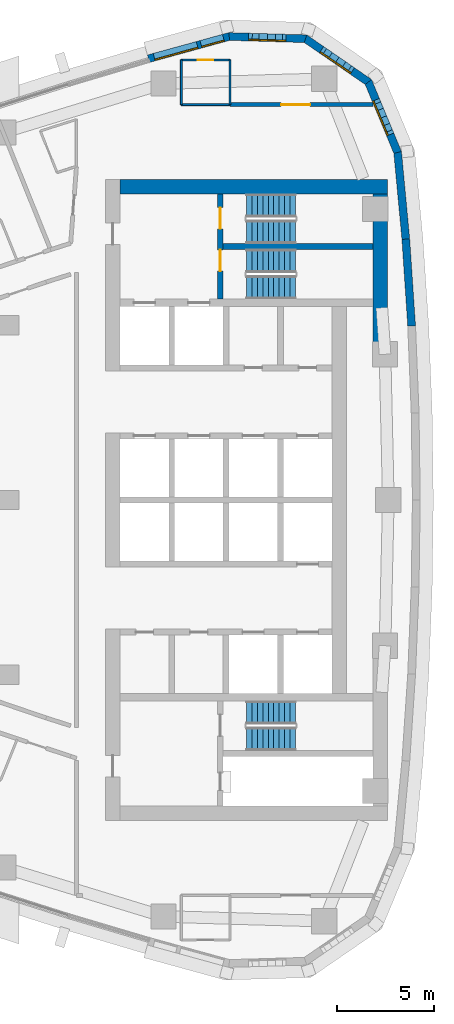
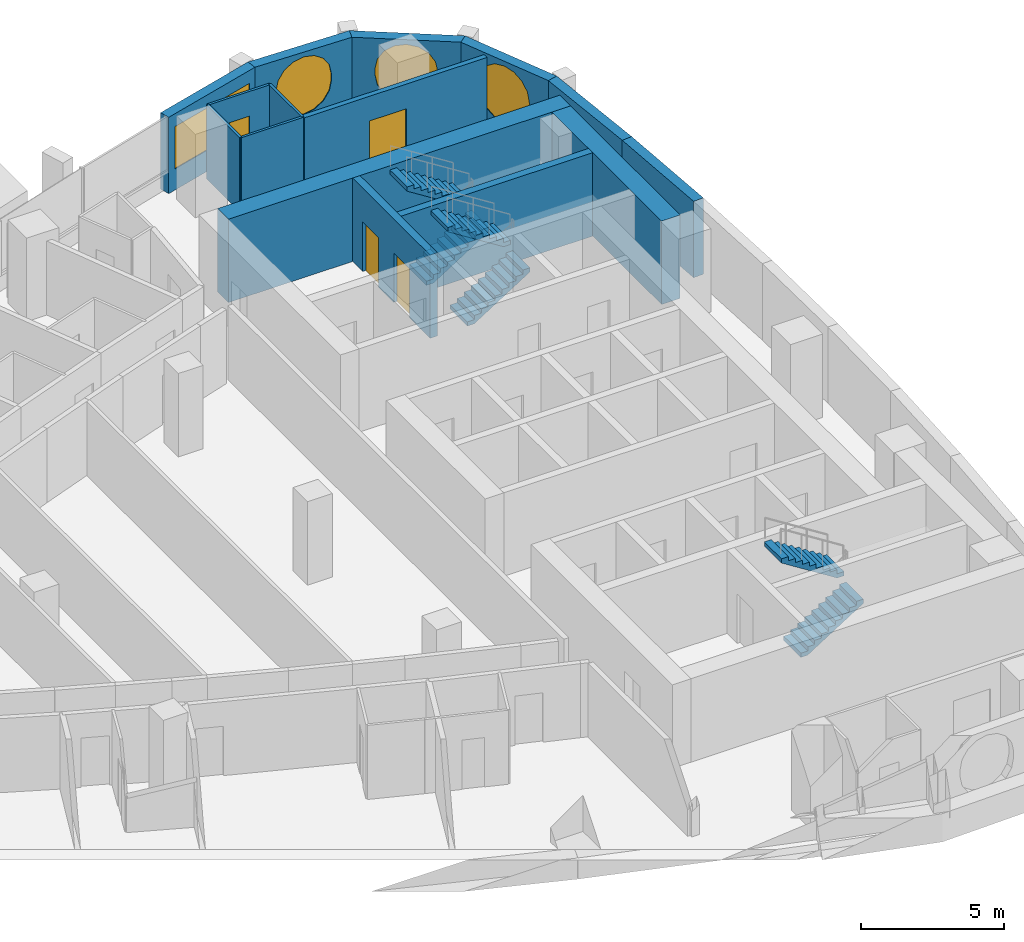
# One storey, part 13 of 17: 15 walls, 6 stair flights, 5 windows, 4 doors, 9 openings, 3 elements without a shape of their own.
"""IFC4 building model written with IfcOpenShell, lengths in metres."""

from ifc_helpers import new_model, si_unit, direction, frame, frame_2d, origin, place, context, subcontext, project, spatial, polyline, rectangle, outline, extrude, material, layer, layer_set, type_object, element, fill, aggregate, save


model = new_model("IFC4")

# Units and contexts
model_context = context("Model", 3, precision=1e-05, world=origin(), true_north=direction((0.0, 1.0)))
body_context = subcontext(model_context, "Body", "Model", "MODEL_VIEW")
ifc_project = project(units=[si_unit("LENGTHUNIT", "METRE"), si_unit("AREAUNIT", "SQUARE_METRE"), si_unit("VOLUMEUNIT", "CUBIC_METRE"), si_unit("PLANEANGLEUNIT", "RADIAN"), si_unit("MASSUNIT", "GRAM", prefix="KILO")], contexts=[model_context])

# Site, building, storey
site_placement = place(None, origin())
site = spatial("IfcSite", under=ifc_project, at=site_placement, CompositionType="ELEMENT")
building_placement = place(site_placement, origin())
building = spatial("IfcBuilding", under=site, at=building_placement, Name="Ostrand Prow Hotel Tower", CompositionType="ELEMENT")
storey_placement = place(building_placement, frame((0.0, 0.0, 207.449951171875)))
storey = spatial("IfcBuildingStorey", under=building, at=storey_placement, Name="L52", CompositionType="ELEMENT", Elevation=207.449951171875)

# Wall, openings, doors
ifc_material_1 = material(Name="Concrete C60/75", Category="concrete")
ifc_layer_1 = layer(ifc_material_1, 0.300048828125)
ifc_layer_set_1 = layer_set([ifc_layer_1], Name="Concrete C60/75")
wall_type_1 = type_object("IfcWallType", Name="Core wall 300 C60/75", PredefinedType="SHEAR", material=ifc_layer_set_1)
wall_1_placement = place(storey_placement, frame((55.85009765625, 10.35009765625, 0.0), z_axis=(0.0, 0.0, 1.0), x_axis=(0.0, 1.0, 0.0)))
wall_1 = element("IfcWall", 1, at=wall_1_placement, inside=storey, type_object=wall_type_1, Name="Core wall PW-VN", PredefinedType="SHEAR", context=body_context, shape_type="SweptSolid", body=[
    extrude(rectangle(XDim=5.39990234375, YDim=0.300048828125, at=frame_2d((2.699951171875, 0.0))), origin(), (0.0, 0.0, 1.0), 3.550048828125),
])
opening_1_placement = place(wall_1_placement, frame((1.429931640625, 0.0, 0.0)))
opening_1 = element("IfcOpeningElement", 2, at=opening_1_placement, cuts=wall_1, Name="Opening FD1", PredefinedType="OPENING", context=body_context, shape_type="SweptSolid", body=[
    extrude(rectangle(XDim=1.10009765625, YDim=2.10009765625, at=frame_2d((0.550048828125, 1.050048828125))), frame((0.0, 0.159912109375, 0.0), z_axis=(0.0, -1.0, 0.0), x_axis=(1.0, 0.0, 0.0)), (0.0, 0.0, 1.0), 0.320068359375),
])
opening_2_placement = place(wall_1_placement, frame((3.60009765625, 0.0, 0.0)))
opening_2 = element("IfcOpeningElement", 3, at=opening_2_placement, cuts=wall_1, Name="Opening FD1", PredefinedType="OPENING", context=body_context, shape_type="SweptSolid", body=[
    extrude(rectangle(XDim=1.10009765625, YDim=2.10009765625, at=frame_2d((0.550048828125, 1.050048828125))), frame((0.0, 0.159912109375, 0.0), z_axis=(0.0, -1.0, 0.0), x_axis=(1.0, 0.0, 0.0)), (0.0, 0.0, 1.0), 0.320068359375),
])
ifc_material_2 = material(Name="Steel fire door", Category="steel")
door_type_1 = type_object("IfcDoorType", Name="Fire door 1100 EI120", OperationType="SINGLE_SWING_RIGHT", PredefinedType="DOOR", material=ifc_material_2)
door_1_placement = place(opening_1_placement, origin())
door_1 = element("IfcDoor", 4, at=door_1_placement, inside=storey, type_object=door_type_1, Name="FIRE DOOR", OperationType="SINGLE_SWING_RIGHT", OverallHeight=2.10009765625, OverallWidth=1.10009765625, PredefinedType="DOOR", context=body_context, shape_type="SweptSolid", body=[
    extrude(rectangle(XDim=1.10009765625, YDim=2.10009765625, at=frame_2d((0.550048828125, 1.050048828125))), frame((0.0, 0.02490234375, 0.0), z_axis=(0.0, -1.0, 0.0), x_axis=(1.0, 0.0, 0.0)), (0.0, 0.0, 1.0), 0.050048828125),
])
fill(opening_1, door_1)
door_2_placement = place(opening_2_placement, origin())
door_2 = element("IfcDoor", 5, at=door_2_placement, inside=storey, type_object=door_type_1, Name="FIRE DOOR", OperationType="SINGLE_SWING_RIGHT", OverallHeight=2.10009765625, OverallWidth=1.10009765625, PredefinedType="DOOR", context=body_context, shape_type="SweptSolid", body=[
    extrude(rectangle(XDim=1.10009765625, YDim=2.10009765625, at=frame_2d((0.550048828125, 1.050048828125))), frame((0.0, 0.02490234375, 0.0), z_axis=(0.0, -1.0, 0.0), x_axis=(1.0, 0.0, 0.0)), (0.0, 0.0, 1.0), 0.050048828125),
])
fill(opening_2, door_2)

# Walls
wall_2_placement = place(storey_placement, frame((56.0, 13.050048828125, 0.0), z_axis=(0.0, 0.0, 1.0), x_axis=(1.0, 0.0, 0.0)))
element("IfcWall", 6, at=wall_2_placement, inside=storey, type_object=wall_type_1, Name="Core wall PW-ST13", PredefinedType="SHEAR", context=body_context, shape_type="SweptSolid", body=[
    extrude(rectangle(XDim=7.719970703125, YDim=0.300048828125, at=frame_2d((3.85986328125, 0.0))), origin(), (0.0, 0.0, 1.0), 3.550048828125),
])
ifc_material_3 = material(Name="Concrete C60/75", Category="concrete")
ifc_layer_2 = layer(ifc_material_3, 0.75)
ifc_layer_set_2 = layer_set([ifc_layer_2], Name="Concrete C60/75")
wall_type_2 = type_object("IfcWallType", Name="Core wall 750 C60/75", PredefinedType="SHEAR", material=ifc_layer_set_2)
wall_3_placement = place(storey_placement, frame((50.699951171875, 16.125, 0.0), z_axis=(0.0, 0.0, 1.0), x_axis=(1.0, 0.0, 0.0)))
element("IfcWall", 7, at=wall_3_placement, inside=storey, type_object=wall_type_2, Name="Core wall CW-N", PredefinedType="SHEAR", context=body_context, shape_type="SweptSolid", body=[
    extrude(rectangle(XDim=13.77001953125, YDim=0.75, at=frame_2d((6.885009765625, 0.0))), origin(), (0.0, 0.0, 1.0), 3.550048828125),
])
wall_4_placement = place(storey_placement, frame((64.094970703125, 8.09912109375, 0.0), z_axis=(0.0, 0.0, 1.0), x_axis=(0.0, 1.0, 0.0)))
element("IfcWall", 8, at=wall_4_placement, inside=storey, type_object=wall_type_2, Name="Core wall CW-E-N", PredefinedType="SHEAR", context=body_context, shape_type="SweptSolid", body=[
    extrude(rectangle(XDim=7.65087890625, YDim=0.75, at=frame_2d((3.825439453125, 0.0))), origin(), (0.0, 0.0, 1.0), 3.550048828125),
])

# Wall, opening, door
ifc_material_4 = material(Name="Plasterboard partition")
ifc_layer_3 = layer(ifc_material_4, 0.10009765625)
ifc_layer_set_3 = layer_set([ifc_layer_3], Name="Plasterboard partition")
wall_type_3 = type_object("IfcWallType", Name="Partition 100 bathroom wall", PredefinedType="PARTITIONING", material=ifc_layer_set_3)
wall_5_placement = place(storey_placement, frame((53.85009765625, 22.64990234375, 0.0), z_axis=(0.0, 0.0, 1.0), x_axis=(1.0, 0.0, 0.0)))
wall_5 = element("IfcWall", 9, at=wall_5_placement, inside=storey, type_object=wall_type_3, Name="BATHROOM WALL", PredefinedType="PARTITIONING", context=body_context, shape_type="SweptSolid", body=[
    extrude(rectangle(XDim=2.5, YDim=0.10009765625, at=frame_2d((1.25, 0.0))), origin(), (0.0, 0.0, 1.0), 3.150146484375),
])
opening_3_placement = place(wall_5_placement, frame((0.85009765625, 0.0, 0.0)))
opening_3 = element("IfcOpeningElement", 10, at=opening_3_placement, cuts=wall_5, Name="Opening D2", PredefinedType="OPENING", context=body_context, shape_type="SweptSolid", body=[
    extrude(rectangle(XDim=0.800048828125, YDim=2.10009765625, at=frame_2d((0.39990234375, 1.050048828125))), frame((0.0, 0.06005859375, 0.0), z_axis=(0.0, -1.0, 0.0), x_axis=(1.0, 0.0, 0.0)), (0.0, 0.0, 1.0), 0.1201171875),
])
ifc_material_5 = material(Name="Timber door leaf", Category="wood")
door_type_2 = type_object("IfcDoorType", Name="Bathroom door 800", OperationType="SINGLE_SWING_LEFT", PredefinedType="DOOR", material=ifc_material_5)
door_3_placement = place(opening_3_placement, origin())
door_3 = element("IfcDoor", 11, at=door_3_placement, inside=storey, type_object=door_type_2, Name="DOOR", OperationType="SINGLE_SWING_LEFT", OverallHeight=2.10009765625, OverallWidth=0.800048828125, PredefinedType="DOOR", context=body_context, shape_type="SweptSolid", body=[
    extrude(rectangle(XDim=0.800048828125, YDim=2.10009765625, at=frame_2d((0.39990234375, 1.050048828125))), frame((0.0, 0.02490234375, 0.0), z_axis=(0.0, -1.0, 0.0), x_axis=(1.0, 0.0, 0.0)), (0.0, 0.0, 1.0), 0.050048828125),
])
fill(opening_3, door_3)

# Walls
for number, where, z_axis, x_axis, name in (
    (12, (56.35009765625, 22.64990234375, 0.0), (0.0, 0.0, 1.0), (0.0, -1.0, 0.0), "BATHROOM WALL"),
    (13, (53.85009765625, 20.35009765625, 0.0), (0.0, 0.0, 1.0), (0.0, 1.0, 0.0), "BATHROOM WALL"),
):
    element("IfcWall", number, at=place(storey_placement, frame(where, z_axis=z_axis, x_axis=x_axis)), inside=storey, type_object=wall_type_3, Name=name, PredefinedType="PARTITIONING", context=body_context, shape_type="SweptSolid", body=[
        extrude(rectangle(XDim=2.2998046875, YDim=0.10009765625, at=frame_2d((1.14990234375, 0.0))), origin(), (0.0, 0.0, 1.0), 3.150146484375),
    ])
wall_6_placement = place(storey_placement, frame((56.35009765625, 20.35498046875, 0.0), z_axis=(0.0, 0.0, 1.0), x_axis=(-1.0, 0.0, 0.0)))
element("IfcWall", 14, at=wall_6_placement, inside=storey, type_object=wall_type_3, Name="BATHROOM WALL", PredefinedType="PARTITIONING", context=body_context, shape_type="SweptSolid", body=[
    extrude(rectangle(XDim=2.5, YDim=0.10009765625, at=frame_2d((1.25, 0.0))), origin(), (0.0, 0.0, 1.0), 3.150146484375),
])

# Wall, opening, door
ifc_material_6 = material(Name="Plasterboard partition")
ifc_layer_4 = layer(ifc_material_6, 0.199951171875)
ifc_layer_set_4 = layer_set([ifc_layer_4], Name="Plasterboard partition")
wall_type_4 = type_object("IfcWallType", Name="Partition 200 corridor wall", PredefinedType="PARTITIONING", material=ifc_layer_set_4)
wall_7_placement = place(storey_placement, frame((63.70947265625, 20.35498046875, 0.0), z_axis=(0.0, 0.0, 1.0), x_axis=(-1.0, 0.0, 0.0)))
wall_7 = element("IfcWall", 15, at=wall_7_placement, inside=storey, type_object=wall_type_4, Name="CORRIDOR WALL", PredefinedType="PARTITIONING", context=body_context, shape_type="SweptSolid", body=[
    extrude(rectangle(XDim=7.3544921875, YDim=0.199951171875, at=frame_2d((3.67724609375, 0.0))), origin(), (0.0, 0.0, 1.0), 3.150146484375),
])
opening_4_placement = place(wall_7_placement, frame((3.230712890625, 0.0, 0.0)))
opening_4 = element("IfcOpeningElement", 16, at=opening_4_placement, cuts=wall_7, Name="Opening D15", PredefinedType="OPENING", context=body_context, shape_type="SweptSolid", body=[
    extrude(rectangle(XDim=1.5, YDim=2.10009765625, at=frame_2d((0.75, 1.050048828125))), frame((0.0, 0.10986328125, 0.0), z_axis=(0.0, -1.0, 0.0), x_axis=(1.0, 0.0, 0.0)), (0.0, 0.0, 1.0), 0.219970703125),
])
ifc_material_7 = material(Name="Timber door leaf", Category="wood")
door_type_3 = type_object("IfcDoorType", Name="Double door 1500", OperationType="DOUBLE_DOOR_SINGLE_SWING", PredefinedType="DOOR", material=ifc_material_7)
door_4_placement = place(opening_4_placement, origin())
door_4 = element("IfcDoor", 17, at=door_4_placement, inside=storey, type_object=door_type_3, Name="DOOR", OperationType="DOUBLE_DOOR_SINGLE_SWING", OverallHeight=2.10009765625, OverallWidth=1.5, PredefinedType="DOOR", context=body_context, shape_type="SweptSolid", body=[
    extrude(rectangle(XDim=1.5, YDim=2.10009765625, at=frame_2d((0.75, 1.050048828125))), frame((0.0, 0.02490234375, 0.0), z_axis=(0.0, -1.0, 0.0), x_axis=(1.0, 0.0, 0.0)), (0.0, 0.0, 1.0), 0.050048828125),
])
fill(opening_4, door_4)

# Walls
ifc_material_8 = material(Name="Precast concrete C40/50", Category="concrete")
ifc_layer_5 = layer(ifc_material_8, 0.39990234375)
ifc_layer_set_5 = layer_set([ifc_layer_5], Name="Precast concrete C40/50")
wall_type_5 = type_object("IfcWallType", Name="Stone-faced precast wall 400 mm", PredefinedType="NOTDEFINED", material=ifc_layer_set_5)
wall_8_placement = place(storey_placement, frame((65.700439453125, 8.957763671875, 0.0), z_axis=(0.0, 0.0, 1.0), x_axis=(-0.066905935948, 0.997759287471, 0.0)))
element("IfcWall", 18, at=wall_8_placement, inside=storey, type_object=wall_type_5, Name="Stone-faced wall back 11", PredefinedType="NOTDEFINED", context=body_context, shape_type="SweptSolid", body=[
    extrude(outline(polyline([(-0.002685546875, -0.199951171875), (4.483642578125, -0.199951171875), (4.478271484375, 0.199951171875), (0.002685546875, 0.199951171875), (-0.002685546875, -0.199951171875)])), origin(), (0.0, 0.0, 1.0), 3.25),
])
wall_9_placement = place(storey_placement, frame((65.400634765625, 13.4287109375, 0.0), z_axis=(0.0, 0.0, 1.0), x_axis=(-0.093605694738, 0.995609348044, 0.0)))
element("IfcWall", 19, at=wall_9_placement, inside=storey, type_object=wall_type_5, Name="Stone-faced wall back 12", PredefinedType="NOTDEFINED", context=body_context, shape_type="SweptSolid", body=[
    extrude(outline(polyline([(-0.002685546875, -0.199951171875), (4.51123046875, -0.199951171875), (4.45068359375, 0.199951171875), (0.002685546875, 0.199951171875), (-0.002685546875, -0.199951171875)])), origin(), (0.0, 0.0, 1.0), 3.25),
])

# Wall, opening, window
wall_10_placement = place(storey_placement, frame((64.981201171875, 17.889892578125, 0.0), z_axis=(0.0, 0.0, 1.0), x_axis=(-0.383997619794, 0.923334082547, 0.0)))
wall_10 = element("IfcWall", 20, at=wall_10_placement, inside=storey, type_object=wall_type_5, Name="Stone-faced wall back 13", PredefinedType="NOTDEFINED", context=body_context, shape_type="SweptSolid", body=[
    extrude(outline(polyline([(-0.0302734375, -0.199951171875), (3.98828125, -0.199951171875), (3.8701171875, 0.199951171875), (0.0302734375, 0.199951171875), (-0.0302734375, -0.199951171875)])), origin(), (0.0, 0.0, 1.0), 3.25),
])
opening_5_placement = place(wall_10_placement, frame((0.864501953125, 0.0, 0.60009765625)))
opening_5 = element("IfcOpeningElement", 21, at=opening_5_placement, cuts=wall_10, Name="Opening WP1", PredefinedType="OPENING", context=body_context, shape_type="SweptSolid", body=[
    extrude(outline(polyline([(0.0, 1.35009765625), (0.083740234375, 1.77099609375), (0.322265625, 2.127685546875), (0.678955078125, 2.3662109375), (1.10009765625, 2.449951171875), (1.52099609375, 2.3662109375), (1.877685546875, 2.127685546875), (2.1162109375, 1.77099609375), (2.199951171875, 1.35009765625), (2.199951171875, 1.10009765625), (2.1162109375, 0.678955078125), (1.877685546875, 0.322265625), (1.52099609375, 0.083740234375), (1.10009765625, 0.0), (0.678955078125, 0.083740234375), (0.322265625, 0.322265625), (0.083740234375, 0.678955078125), (0.0, 1.099853515625), (0.0, 1.35009765625)])), frame((0.0, 0.2099609375, 0.0), z_axis=(0.0, -1.0, 0.0), x_axis=(1.0, 0.0, 0.0)), (0.0, 0.0, 1.0), 0.419921875),
])
ifc_material_9 = material(Name="Insulated glass in bronze frame", Category="glass")
window_type_1 = type_object("IfcWindowType", Name="Round-ended prow window 2200x2450", PartitioningType="SINGLE_PANEL", PredefinedType="WINDOW", material=ifc_material_9)
window_1_placement = place(opening_5_placement, origin())
window_1 = element("IfcWindow", 22, at=window_1_placement, inside=storey, type_object=window_type_1, Name="Window back 13.1", OverallHeight=2.449951171875, OverallWidth=2.199951171875, PartitioningType="SINGLE_PANEL", PredefinedType="WINDOW", context=body_context, shape_type="SweptSolid", body=[
    extrude(outline(polyline([(0.0, 1.35009765625), (0.083740234375, 1.77099609375), (0.322265625, 2.127685546875), (0.678955078125, 2.3662109375), (1.10009765625, 2.449951171875), (1.52099609375, 2.3662109375), (1.877685546875, 2.127685546875), (2.1162109375, 1.77099609375), (2.199951171875, 1.35009765625), (2.199951171875, 1.10009765625), (2.1162109375, 0.678955078125), (1.877685546875, 0.322265625), (1.52099609375, 0.083740234375), (1.10009765625, 0.0), (0.678955078125, 0.083740234375), (0.322265625, 0.322265625), (0.083740234375, 0.678955078125), (0.0, 1.099853515625), (0.0, 1.35009765625)])), frame((0.0, 0.169921875, 0.0), z_axis=(0.0, -1.0, 0.0), x_axis=(1.0, 0.0, 0.0)), (0.0, 0.0, 1.0), 0.06005859375),
])
fill(opening_5, window_1)

wall_11_placement = place(storey_placement, frame((63.472412109375, 21.517822265625, 0.0), z_axis=(0.0, 0.0, 1.0), x_axis=(-0.823806162588, 0.566871596115, 0.0)))
wall_11 = element("IfcWall", 23, at=wall_11_placement, inside=storey, type_object=wall_type_5, Name="Stone-faced wall back 14", PredefinedType="NOTDEFINED", context=body_context, shape_type="SweptSolid", body=[
    extrude(outline(polyline([(-0.05908203125, -0.199951171875), (3.98828125, -0.199951171875), (3.8701171875, 0.199951171875), (0.05908203125, 0.199951171875), (-0.05908203125, -0.199951171875)])), origin(), (0.0, 0.0, 1.0), 3.25),
])
opening_6_placement = place(wall_11_placement, frame((0.864501953125, 0.0, 0.60009765625)))
opening_6 = element("IfcOpeningElement", 24, at=opening_6_placement, cuts=wall_11, Name="Opening WP1", PredefinedType="OPENING", context=body_context, shape_type="SweptSolid", body=[
    extrude(outline(polyline([(0.0, 1.35009765625), (0.083740234375, 1.77099609375), (0.322265625, 2.127685546875), (0.678955078125, 2.3662109375), (1.10009765625, 2.449951171875), (1.52099609375, 2.3662109375), (1.877685546875, 2.127685546875), (2.1162109375, 1.77099609375), (2.199951171875, 1.35009765625), (2.199951171875, 1.10009765625), (2.1162109375, 0.678955078125), (1.877685546875, 0.322265625), (1.52099609375, 0.083740234375), (1.10009765625, 0.0), (0.678955078125, 0.083740234375), (0.322265625, 0.322265625), (0.083740234375, 0.678955078125), (0.0, 1.099853515625), (0.0, 1.35009765625)])), frame((0.0, 0.2099609375, 0.0), z_axis=(0.0, -1.0, 0.0), x_axis=(1.0, 0.0, 0.0)), (0.0, 0.0, 1.0), 0.419921875),
])
window_2_placement = place(opening_6_placement, origin())
window_2 = element("IfcWindow", 25, at=window_2_placement, inside=storey, type_object=window_type_1, Name="Window back 14.1", OverallHeight=2.449951171875, OverallWidth=2.199951171875, PartitioningType="SINGLE_PANEL", PredefinedType="WINDOW", context=body_context, shape_type="SweptSolid", body=[
    extrude(outline(polyline([(0.0, 1.35009765625), (0.083740234375, 1.77099609375), (0.322265625, 2.127685546875), (0.678955078125, 2.3662109375), (1.10009765625, 2.449951171875), (1.52099609375, 2.3662109375), (1.877685546875, 2.127685546875), (2.1162109375, 1.77099609375), (2.199951171875, 1.35009765625), (2.199951171875, 1.10009765625), (2.1162109375, 0.678955078125), (1.877685546875, 0.322265625), (1.52099609375, 0.083740234375), (1.10009765625, 0.0), (0.678955078125, 0.083740234375), (0.322265625, 0.322265625), (0.083740234375, 0.678955078125), (0.0, 1.099853515625), (0.0, 1.35009765625)])), frame((0.0, 0.169921875, 0.0), z_axis=(0.0, -1.0, 0.0), x_axis=(1.0, 0.0, 0.0)), (0.0, 0.0, 1.0), 0.06005859375),
])
fill(opening_6, window_2)

wall_12_placement = place(storey_placement, frame((60.235595703125, 23.7451171875, 0.0), z_axis=(0.0, 0.0, 1.0), x_axis=(-0.999587920197, 0.028705222472, 0.0)))
wall_12 = element("IfcWall", 26, at=wall_12_placement, inside=storey, type_object=wall_type_5, Name="Stone-faced wall back 15", PredefinedType="NOTDEFINED", context=body_context, shape_type="SweptSolid", body=[
    extrude(outline(polyline([(-0.05908203125, -0.199951171875), (3.959228515625, -0.199951171875), (3.899658203125, 0.199951171875), (0.05908203125, 0.199951171875), (-0.05908203125, -0.199951171875)])), origin(), (0.0, 0.0, 1.0), 3.25),
])
opening_7_placement = place(wall_12_placement, frame((0.864501953125, 0.0, 0.60009765625)))
opening_7 = element("IfcOpeningElement", 27, at=opening_7_placement, cuts=wall_12, Name="Opening WP1", PredefinedType="OPENING", context=body_context, shape_type="SweptSolid", body=[
    extrude(outline(polyline([(0.0, 1.35009765625), (0.083740234375, 1.77099609375), (0.322265625, 2.127685546875), (0.678955078125, 2.3662109375), (1.10009765625, 2.449951171875), (1.52099609375, 2.3662109375), (1.877685546875, 2.127685546875), (2.1162109375, 1.77099609375), (2.199951171875, 1.35009765625), (2.199951171875, 1.10009765625), (2.1162109375, 0.678955078125), (1.877685546875, 0.322265625), (1.52099609375, 0.083740234375), (1.10009765625, 0.0), (0.678955078125, 0.083740234375), (0.322265625, 0.322265625), (0.083740234375, 0.678955078125), (0.0, 1.099853515625), (0.0, 1.35009765625)])), frame((0.0, 0.2099609375, 0.0), z_axis=(0.0, -1.0, 0.0), x_axis=(1.0, 0.0, 0.0)), (0.0, 0.0, 1.0), 0.419921875),
])
window_3_placement = place(opening_7_placement, origin())
window_3 = element("IfcWindow", 28, at=window_3_placement, inside=storey, type_object=window_type_1, Name="Window back 15.1", OverallHeight=2.449951171875, OverallWidth=2.199951171875, PartitioningType="SINGLE_PANEL", PredefinedType="WINDOW", context=body_context, shape_type="SweptSolid", body=[
    extrude(outline(polyline([(0.0, 1.35009765625), (0.083740234375, 1.77099609375), (0.322265625, 2.127685546875), (0.678955078125, 2.3662109375), (1.10009765625, 2.449951171875), (1.52099609375, 2.3662109375), (1.877685546875, 2.127685546875), (2.1162109375, 1.77099609375), (2.199951171875, 1.35009765625), (2.199951171875, 1.10009765625), (2.1162109375, 0.678955078125), (1.877685546875, 0.322265625), (1.52099609375, 0.083740234375), (1.10009765625, 0.0), (0.678955078125, 0.083740234375), (0.322265625, 0.322265625), (0.083740234375, 0.678955078125), (0.0, 1.099853515625), (0.0, 1.35009765625)])), frame((0.0, 0.169921875, 0.0), z_axis=(0.0, -1.0, 0.0), x_axis=(1.0, 0.0, 0.0)), (0.0, 0.0, 1.0), 0.06005859375),
])
fill(opening_7, window_3)

# Wall, openings, windows
wall_13_placement = place(storey_placement, frame((56.307861328125, 23.85791015625, 0.0), z_axis=(0.0, 0.0, 1.0), x_axis=(-0.964205755089, -0.265155165617, 0.0)))
wall_13 = element("IfcWall", 29, at=wall_13_placement, inside=storey, type_object=wall_type_5, Name="Stone-faced wall back 16", PredefinedType="NOTDEFINED", context=body_context, shape_type="SweptSolid", body=[
    extrude(outline(polyline([(-0.02978515625, -0.199951171875), (4.30712890625, -0.199951171875), (4.30712890625, 0.199951171875), (0.02978515625, 0.199951171875), (-0.02978515625, -0.199951171875)])), origin(), (0.0, 0.0, 1.0), 3.25),
])
opening_8_placement = place(wall_13_placement, frame((0.303466796875, 0.0, 0.89990234375)))
opening_8 = element("IfcOpeningElement", 30, at=opening_8_placement, cuts=wall_13, Name="Opening WS4", PredefinedType="OPENING", context=body_context, shape_type="SweptSolid", body=[
    extrude(rectangle(XDim=1.199951171875, YDim=1.800048828125, at=frame_2d((0.60009765625, 0.89990234375))), frame((0.0, 0.2099609375, 0.0), z_axis=(0.0, -1.0, 0.0), x_axis=(1.0, 0.0, 0.0)), (0.0, 0.0, 1.0), 0.419921875),
])
opening_9_placement = place(wall_13_placement, frame((1.70361328125, 0.0, 0.89990234375)))
opening_9 = element("IfcOpeningElement", 31, at=opening_9_placement, cuts=wall_13, Name="Opening WS5-23", PredefinedType="OPENING", context=body_context, shape_type="SweptSolid", body=[
    extrude(rectangle(XDim=2.300048828125, YDim=1.800048828125, at=frame_2d((1.14990234375, 0.89990234375))), frame((0.0, 0.2099609375, 0.0), z_axis=(0.0, -1.0, 0.0), x_axis=(1.0, 0.0, 0.0)), (0.0, 0.0, 1.0), 0.419921875),
])
ifc_material_10 = material(Name="Insulated glass in bronze frame", Category="glass")
window_type_2 = type_object("IfcWindowType", Name="Fixed strip window 2300x1800", PartitioningType="SINGLE_PANEL", PredefinedType="WINDOW", material=ifc_material_10)
window_4_placement = place(opening_9_placement, origin())
window_4 = element("IfcWindow", 32, at=window_4_placement, inside=storey, type_object=window_type_2, Name="Window back 16.2", OverallHeight=1.800048828125, OverallWidth=2.300048828125, PartitioningType="SINGLE_PANEL", PredefinedType="WINDOW", context=body_context, shape_type="SweptSolid", body=[
    extrude(rectangle(XDim=2.300048828125, YDim=1.800048828125, at=frame_2d((1.14990234375, 0.89990234375))), frame((0.0, 0.169921875, 0.0), z_axis=(0.0, -1.0, 0.0), x_axis=(1.0, 0.0, 0.0)), (0.0, 0.0, 1.0), 0.06005859375),
])
fill(opening_9, window_4)
ifc_material_11 = material(Name="Insulated glass in bronze frame", Category="glass")
window_type_3 = type_object("IfcWindowType", Name="Operable strip panel 1200x1800", PartitioningType="SINGLE_PANEL", PredefinedType="WINDOW", material=ifc_material_11)
window_5_placement = place(opening_8_placement, origin())
window_5 = element("IfcWindow", 33, at=window_5_placement, inside=storey, type_object=window_type_3, Name="Window back 16.1", OverallHeight=1.800048828125, OverallWidth=1.199951171875, PartitioningType="SINGLE_PANEL", PredefinedType="WINDOW", context=body_context, shape_type="SweptSolid", body=[
    extrude(rectangle(XDim=1.199951171875, YDim=1.800048828125, at=frame_2d((0.60009765625, 0.89990234375))), frame((0.0, 0.169921875, 0.0), z_axis=(0.0, -1.0, 0.0), x_axis=(1.0, 0.0, 0.0)), (0.0, 0.0, 1.0), 0.06005859375),
])
fill(opening_8, window_5)

# Stair, stair flights
ifc_material_12 = material(Name="Concrete C40/50", Category="concrete")
stair_type = type_object("IfcStairType", Name="Exit stair 1200 upper zone", PredefinedType="HALF_TURN_STAIR", material=ifc_material_12)
stair_1_placement = place(storey_placement, origin())
stair_1 = element("IfcStair", 34, at=stair_1_placement, inside=storey, type_object=stair_type, Name="L52 ST1C", PredefinedType="HALF_TURN_STAIR")
ifc_material_13 = material(Name="Concrete C40/50", Category="concrete")
stair_flight_type = type_object("IfcStairFlightType", Name="Stair flight 1200 concrete", PredefinedType="STRAIGHT", material=ifc_material_13)
stair_flight_1_placement = place(storey_placement, frame((57.199951171875, 10.949951171875, 0.0), z_axis=(0.0, 0.0, 1.0), x_axis=(1.0, 0.0, 0.0)))
stair_flight_1 = element("IfcStairFlight", 35, at=stair_flight_1_placement, type_object=stair_flight_type, Name="ST1C flight 1", NumberOfRisers=10, NumberOfTreads=9, PredefinedType="STRAIGHT", RiserHeight=0.1775, TreadLength=0.28, context=body_context, shape_type="SweptSolid", body=[
    extrude(outline(polyline([(0.0, 0.0), (0.0, 0.177490234375), (0.280029296875, 0.177490234375), (0.280029296875, 0.35498046875), (0.56005859375, 0.35498046875), (0.56005859375, 0.532470703125), (0.840087890625, 0.532470703125), (0.840087890625, 0.7099609375), (1.1201171875, 0.7099609375), (1.1201171875, 0.887451171875), (1.39990234375, 0.887451171875), (1.39990234375, 1.06494140625), (1.679931640625, 1.06494140625), (1.679931640625, 1.242431640625), (1.9599609375, 1.242431640625), (1.9599609375, 1.419921875), (2.239990234375, 1.419921875), (2.239990234375, 1.597412109375), (2.52001953125, 1.597412109375), (2.52001953125, 1.77490234375), (2.52001953125, 1.419921875), (0.280029296875, 0.0), (0.0, 0.0)])), frame((0.0, 0.60009765625, 0.0), z_axis=(0.0, -1.0, 0.0), x_axis=(1.0, 0.0, 0.0)), (0.0, 0.0, 1.0), 1.199951171875),
])
stair_flight_2_placement = place(storey_placement, frame((59.719970703125, 12.300048828125, 1.775146484375), z_axis=(0.0, 0.0, 1.0), x_axis=(-1.0, 0.0, 0.0)))
stair_flight_2 = element("IfcStairFlight", 36, at=stair_flight_2_placement, type_object=stair_flight_type, Name="ST1C flight 2", NumberOfRisers=10, NumberOfTreads=9, PredefinedType="STRAIGHT", RiserHeight=0.1775, TreadLength=0.28, context=body_context, shape_type="SweptSolid", body=[
    extrude(outline(polyline([(0.0, 0.0), (0.0, 0.177490234375), (0.280029296875, 0.177490234375), (0.280029296875, 0.35498046875), (0.56005859375, 0.35498046875), (0.56005859375, 0.532470703125), (0.840087890625, 0.532470703125), (0.840087890625, 0.7099609375), (1.1201171875, 0.7099609375), (1.1201171875, 0.887451171875), (1.39990234375, 0.887451171875), (1.39990234375, 1.06494140625), (1.679931640625, 1.06494140625), (1.679931640625, 1.242431640625), (1.9599609375, 1.242431640625), (1.9599609375, 1.419921875), (2.239990234375, 1.419921875), (2.239990234375, 1.597412109375), (2.52001953125, 1.597412109375), (2.52001953125, 1.77490234375), (2.52001953125, 1.419921875), (0.280029296875, 0.0), (0.0, 0.0)])), frame((0.0, 0.60009765625, 0.0), z_axis=(0.0, -1.0, 0.0), x_axis=(1.0, 0.0, 0.0)), (0.0, 0.0, 1.0), 1.199951171875),
])
aggregate(stair_1, [stair_flight_1, stair_flight_2])

stair_2_placement = place(storey_placement, origin())
stair_2 = element("IfcStair", 37, at=stair_2_placement, inside=storey, type_object=stair_type, Name="L52 ST3C", PredefinedType="HALF_TURN_STAIR")
stair_flight_3_placement = place(storey_placement, frame((57.199951171875, 13.800048828125, 0.0), z_axis=(0.0, 0.0, 1.0), x_axis=(1.0, 0.0, 0.0)))
stair_flight_3 = element("IfcStairFlight", 38, at=stair_flight_3_placement, type_object=stair_flight_type, Name="ST3C flight 1", NumberOfRisers=10, NumberOfTreads=9, PredefinedType="STRAIGHT", RiserHeight=0.1775, TreadLength=0.28, context=body_context, shape_type="SweptSolid", body=[
    extrude(outline(polyline([(0.0, 0.0), (0.0, 0.177490234375), (0.280029296875, 0.177490234375), (0.280029296875, 0.35498046875), (0.56005859375, 0.35498046875), (0.56005859375, 0.532470703125), (0.840087890625, 0.532470703125), (0.840087890625, 0.7099609375), (1.1201171875, 0.7099609375), (1.1201171875, 0.887451171875), (1.39990234375, 0.887451171875), (1.39990234375, 1.06494140625), (1.679931640625, 1.06494140625), (1.679931640625, 1.242431640625), (1.9599609375, 1.242431640625), (1.9599609375, 1.419921875), (2.239990234375, 1.419921875), (2.239990234375, 1.597412109375), (2.52001953125, 1.597412109375), (2.52001953125, 1.77490234375), (2.52001953125, 1.419921875), (0.280029296875, 0.0), (0.0, 0.0)])), frame((0.0, 0.60009765625, 0.0), z_axis=(0.0, -1.0, 0.0), x_axis=(1.0, 0.0, 0.0)), (0.0, 0.0, 1.0), 1.199951171875),
])
stair_flight_4_placement = place(storey_placement, frame((59.719970703125, 15.14990234375, 1.775146484375), z_axis=(0.0, 0.0, 1.0), x_axis=(-1.0, 0.0, 0.0)))
stair_flight_4 = element("IfcStairFlight", 39, at=stair_flight_4_placement, type_object=stair_flight_type, Name="ST3C flight 2", NumberOfRisers=10, NumberOfTreads=9, PredefinedType="STRAIGHT", RiserHeight=0.1775, TreadLength=0.28, context=body_context, shape_type="SweptSolid", body=[
    extrude(outline(polyline([(0.0, 0.0), (0.0, 0.177490234375), (0.280029296875, 0.177490234375), (0.280029296875, 0.35498046875), (0.56005859375, 0.35498046875), (0.56005859375, 0.532470703125), (0.840087890625, 0.532470703125), (0.840087890625, 0.7099609375), (1.1201171875, 0.7099609375), (1.1201171875, 0.887451171875), (1.39990234375, 0.887451171875), (1.39990234375, 1.06494140625), (1.679931640625, 1.06494140625), (1.679931640625, 1.242431640625), (1.9599609375, 1.242431640625), (1.9599609375, 1.419921875), (2.239990234375, 1.419921875), (2.239990234375, 1.597412109375), (2.52001953125, 1.597412109375), (2.52001953125, 1.77490234375), (2.52001953125, 1.419921875), (0.280029296875, 0.0), (0.0, 0.0)])), frame((0.0, 0.60009765625, 0.0), z_axis=(0.0, -1.0, 0.0), x_axis=(1.0, 0.0, 0.0)), (0.0, 0.0, 1.0), 1.199951171875),
])
aggregate(stair_2, [stair_flight_3, stair_flight_4])

stair_3_placement = place(storey_placement, origin())
stair_3 = element("IfcStair", 40, at=stair_3_placement, inside=storey, type_object=stair_type, Name="L52 ST2C", PredefinedType="HALF_TURN_STAIR")
stair_flight_5_placement = place(storey_placement, frame((57.199951171875, -12.300048828125, 0.0), z_axis=(0.0, 0.0, 1.0), x_axis=(1.0, 0.0, 0.0)))
stair_flight_5 = element("IfcStairFlight", 41, at=stair_flight_5_placement, type_object=stair_flight_type, Name="ST2C flight 1", NumberOfRisers=10, NumberOfTreads=9, PredefinedType="STRAIGHT", RiserHeight=0.1775, TreadLength=0.28, context=body_context, shape_type="SweptSolid", body=[
    extrude(outline(polyline([(0.0, 0.0), (0.0, 0.177490234375), (0.280029296875, 0.177490234375), (0.280029296875, 0.35498046875), (0.56005859375, 0.35498046875), (0.56005859375, 0.532470703125), (0.840087890625, 0.532470703125), (0.840087890625, 0.7099609375), (1.1201171875, 0.7099609375), (1.1201171875, 0.887451171875), (1.39990234375, 0.887451171875), (1.39990234375, 1.06494140625), (1.679931640625, 1.06494140625), (1.679931640625, 1.242431640625), (1.9599609375, 1.242431640625), (1.9599609375, 1.419921875), (2.239990234375, 1.419921875), (2.239990234375, 1.597412109375), (2.52001953125, 1.597412109375), (2.52001953125, 1.77490234375), (2.52001953125, 1.419921875), (0.280029296875, 0.0), (0.0, 0.0)])), frame((0.0, 0.60009765625, 0.0), z_axis=(0.0, -1.0, 0.0), x_axis=(1.0, 0.0, 0.0)), (0.0, 0.0, 1.0), 1.199951171875),
])
stair_flight_6_placement = place(storey_placement, frame((59.719970703125, -10.949951171875, 1.775146484375), z_axis=(0.0, 0.0, 1.0), x_axis=(-1.0, 0.0, 0.0)))
stair_flight_6 = element("IfcStairFlight", 42, at=stair_flight_6_placement, type_object=stair_flight_type, Name="ST2C flight 2", NumberOfRisers=10, NumberOfTreads=9, PredefinedType="STRAIGHT", RiserHeight=0.1775, TreadLength=0.28, context=body_context, shape_type="SweptSolid", body=[
    extrude(outline(polyline([(0.0, 0.0), (0.0, 0.177490234375), (0.280029296875, 0.177490234375), (0.280029296875, 0.35498046875), (0.56005859375, 0.35498046875), (0.56005859375, 0.532470703125), (0.840087890625, 0.532470703125), (0.840087890625, 0.7099609375), (1.1201171875, 0.7099609375), (1.1201171875, 0.887451171875), (1.39990234375, 0.887451171875), (1.39990234375, 1.06494140625), (1.679931640625, 1.06494140625), (1.679931640625, 1.242431640625), (1.9599609375, 1.242431640625), (1.9599609375, 1.419921875), (2.239990234375, 1.419921875), (2.239990234375, 1.597412109375), (2.52001953125, 1.597412109375), (2.52001953125, 1.77490234375), (2.52001953125, 1.419921875), (0.280029296875, 0.0), (0.0, 0.0)])), frame((0.0, 0.60009765625, 0.0), z_axis=(0.0, -1.0, 0.0), x_axis=(1.0, 0.0, 0.0)), (0.0, 0.0, 1.0), 1.199951171875),
])
aggregate(stair_3, [stair_flight_5, stair_flight_6])

save(model, "model.ifc")
